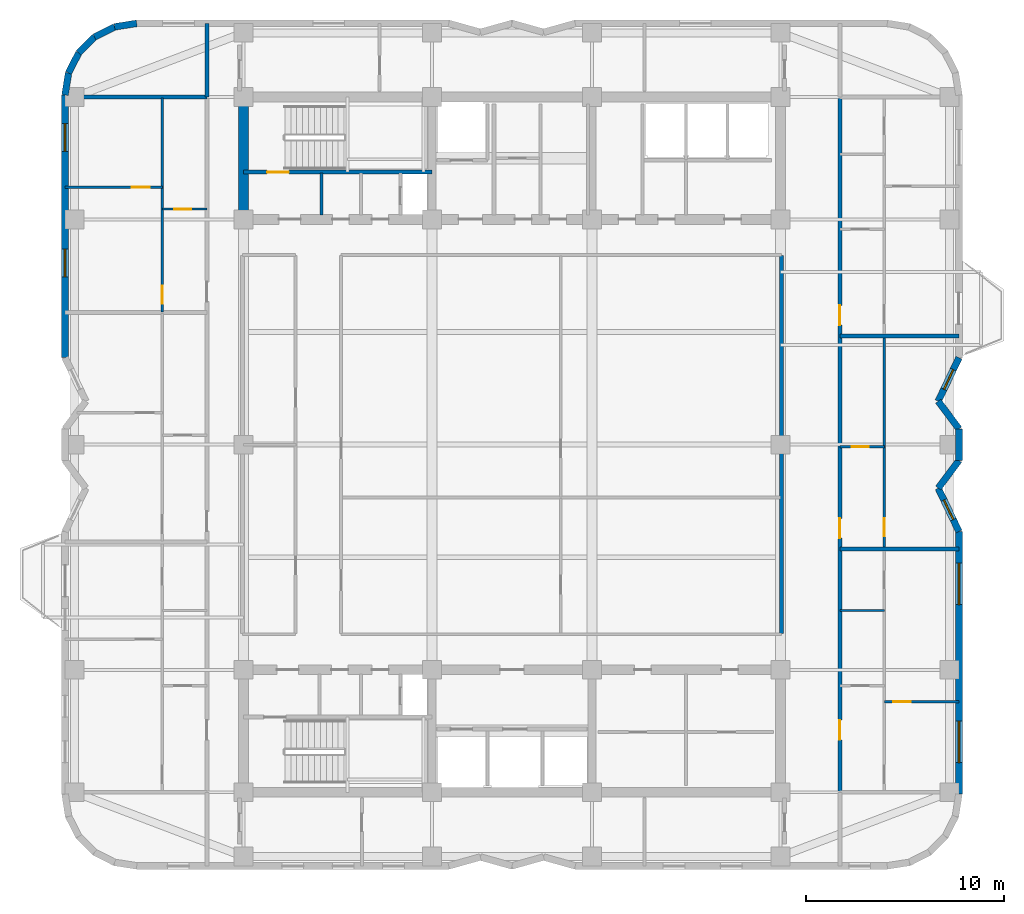
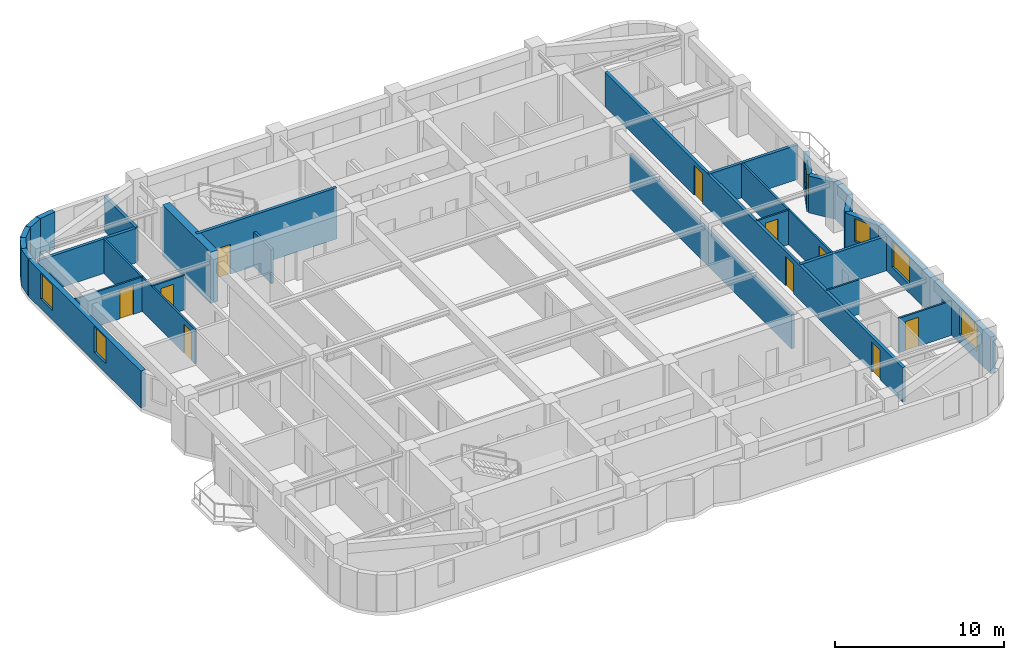
# One storey, part 5 of 9: 28 walls, 10 doors, 6 windows, 16 openings.
"""IFC4 building model written with IfcOpenShell, lengths in metres."""

from ifc_helpers import new_model, si_unit, direction, frame, frame_2d, origin, place, context, subcontext, project, spatial, rectangle, extrude, material, layer, layer_set, type_object, element, fill, save


model = new_model("IFC4")

# Units and contexts
model_context = context("Model", 3, precision=1e-05, world=origin(), true_north=direction((0.0, 1.0)))
body_context = subcontext(model_context, "Body", "Model", "MODEL_VIEW")
ifc_project = project(units=[si_unit("LENGTHUNIT", "METRE"), si_unit("AREAUNIT", "SQUARE_METRE"), si_unit("VOLUMEUNIT", "CUBIC_METRE"), si_unit("PLANEANGLEUNIT", "RADIAN"), si_unit("MASSUNIT", "GRAM", prefix="KILO")], contexts=[model_context])

# Site, building, storey
site_placement = place(None, origin())
site = spatial("IfcSite", under=ifc_project, at=site_placement, CompositionType="ELEMENT")
building_placement = place(site_placement, origin())
building = spatial("IfcBuilding", under=site, at=building_placement, Name="Svetorya Sky Lyceum", CompositionType="ELEMENT")
storey_placement = place(building_placement, frame((0.0, 0.0, 192.199951171875)))
storey = spatial("IfcBuildingStorey", under=building, at=storey_placement, Name="L48", CompositionType="ELEMENT", Elevation=192.199951171875)

# Wall
ifc_material_1 = material(Name="Concrete C50/60", Category="concrete")
ifc_layer_1 = layer(ifc_material_1, 0.5)
ifc_layer_set_1 = layer_set([ifc_layer_1], Name="Concrete C50/60")
wall_type_1 = type_object("IfcWallType", Name="WL-CORE-500", PredefinedType="SHEAR", material=ifc_layer_set_1)
wall_1_placement = place(storey_placement, frame((25.60009765625, 39.85009765625, 0.0), z_axis=(0.0, 0.0, 1.0), x_axis=(0.0, 1.0, 0.0)))
element("IfcWall", 1, at=wall_1_placement, inside=storey, type_object=wall_type_1, Name="L48 NC West Core Shear Wall", PredefinedType="SHEAR", context=body_context, shape_type="SweptSolid", body=[
    extrude(rectangle(XDim=5.699951171875, YDim=0.5, at=frame_2d((2.85009765625, 0.0))), origin(), (0.0, 0.0, 1.0), 3.699951171875),
])

# Wall, openings, windows
ifc_material_2 = material(Name="Putilovo limestone rainscreen on autoclaved cellular masonry", Category="masonry")
ifc_layer_2 = layer(ifc_material_2, 0.340087890625)
ifc_layer_set_2 = layer_set([ifc_layer_2], Name="Putilovo limestone rainscreen on autoclaved cellular masonry")
wall_type_2 = type_object("IfcWallType", Name="WL-EXT-340", PredefinedType="SOLIDWALL", material=ifc_layer_set_2)
wall_2_placement = place(storey_placement, frame((61.830078125, 10.5, 0.0), z_axis=(0.0, 0.0, 1.0), x_axis=(0.0, 1.0, 0.0)))
wall_2 = element("IfcWall", 2, at=wall_2_placement, inside=storey, type_object=wall_type_2, Name="L48 Limestone Exterior Wall 17M", PredefinedType="SOLIDWALL", context=body_context, shape_type="SweptSolid", body=[
    extrude(rectangle(XDim=13.300048828125, YDim=0.340087890625, at=frame_2d((6.64990234375, 0.0))), origin(), (0.0, 0.0, 1.0), 2.66015625),
])
opening_1_placement = place(wall_2_placement, frame((1.60009765625, 0.0, 0.639892578125)))
opening_1 = element("IfcOpeningElement", 3, at=opening_1_placement, cuts=wall_2, Name="Opening W-R0", PredefinedType="OPENING", context=body_context, shape_type="SweptSolid", body=[
    extrude(rectangle(XDim=2.10009765625, YDim=1.89990234375, at=frame_2d((1.050048828125, 0.949951171875))), frame((0.0, 0.179931640625, 0.0), z_axis=(0.0, -1.0, 0.0), x_axis=(1.0, 0.0, 0.0)), (0.0, 0.0, 1.0), 0.360107421875),
])
opening_2_placement = place(wall_2_placement, frame((9.60009765625, 0.0, 0.639892578125)))
opening_2 = element("IfcOpeningElement", 4, at=opening_2_placement, cuts=wall_2, Name="Opening W-R0", PredefinedType="OPENING", context=body_context, shape_type="SweptSolid", body=[
    extrude(rectangle(XDim=2.10009765625, YDim=1.89990234375, at=frame_2d((1.050048828125, 0.949951171875))), frame((0.0, 0.179931640625, 0.0), z_axis=(0.0, -1.0, 0.0), x_axis=(1.0, 0.0, 0.0)), (0.0, 0.0, 1.0), 0.360107421875),
])
ifc_material_3 = material(Name="Thermally broken aluminium frame with triple low-E glazing", Category="aluminium")
window_type_1 = type_object("IfcWindowType", Name="WN-RES-210", PartitioningType="TRIPLE_PANEL_VERTICAL", PredefinedType="WINDOW", material=ifc_material_3)
window_1_placement = place(opening_1_placement, origin())
window_1 = element("IfcWindow", 5, at=window_1_placement, inside=storey, type_object=window_type_1, Name="L48 Facade Window W-R0.17M.1", OverallHeight=1.89990234375, OverallWidth=2.10009765625, PartitioningType="SINGLE_PANEL", PredefinedType="WINDOW", context=body_context, shape_type="SweptSolid", body=[
    extrude(rectangle(XDim=2.10009765625, YDim=1.89990234375, at=frame_2d((1.050048828125, 0.949951171875))), frame((0.0, 0.030029296875, 0.0), z_axis=(0.0, -1.0, 0.0), x_axis=(1.0, 0.0, 0.0)), (0.0, 0.0, 1.0), 0.06005859375),
])
fill(opening_1, window_1)
window_2_placement = place(opening_2_placement, origin())
window_2 = element("IfcWindow", 6, at=window_2_placement, inside=storey, type_object=window_type_1, Name="L48 Facade Window W-R0.17M.2", OverallHeight=1.89990234375, OverallWidth=2.10009765625, PartitioningType="SINGLE_PANEL", PredefinedType="WINDOW", context=body_context, shape_type="SweptSolid", body=[
    extrude(rectangle(XDim=2.10009765625, YDim=1.89990234375, at=frame_2d((1.050048828125, 0.949951171875))), frame((0.0, 0.030029296875, 0.0), z_axis=(0.0, -1.0, 0.0), x_axis=(1.0, 0.0, 0.0)), (0.0, 0.0, 1.0), 0.06005859375),
])
fill(opening_2, window_2)

# Wall, opening, window
wall_3_placement = place(storey_placement, frame((61.830078125, 23.800048828125, 0.0), z_axis=(0.0, 0.0, 1.0), x_axis=(-0.430753686581, 0.902469534941, 0.0)))
wall_3 = element("IfcWall", 7, at=wall_3_placement, inside=storey, type_object=wall_type_2, Name="L48 Limestone Exterior Wall 18M", PredefinedType="SOLIDWALL", context=body_context, shape_type="SweptSolid", body=[
    extrude(rectangle(XDim=2.437744140625, YDim=0.340087890625, at=frame_2d((1.21875, 0.0))), origin(), (0.0, 0.0, 1.0), 2.66015625),
])
opening_3_placement = place(wall_3_placement, frame((0.6689453125, 0.0, 0.85009765625)))
opening_3 = element("IfcOpeningElement", 8, at=opening_3_placement, cuts=wall_3, Name="Opening W-R3", PredefinedType="OPENING", context=body_context, shape_type="SweptSolid", body=[
    extrude(rectangle(XDim=1.10009765625, YDim=1.64990234375, at=frame_2d((0.550048828125, 0.824951171875))), frame((0.0, 0.179931640625, 0.0), z_axis=(0.0, -1.0, 0.0), x_axis=(1.0, 0.0, 0.0)), (0.0, 0.0, 1.0), 0.360107421875),
])
window_type_2 = type_object("IfcWindowType", Name="WN-RES-110", PartitioningType="SINGLE_PANEL", PredefinedType="WINDOW", material=ifc_material_3)
window_3_placement = place(opening_3_placement, origin())
window_3 = element("IfcWindow", 9, at=window_3_placement, inside=storey, type_object=window_type_2, Name="L48 Facade Window W-R3.18M.1", OverallHeight=1.64990234375, OverallWidth=1.10009765625, PartitioningType="SINGLE_PANEL", PredefinedType="WINDOW", context=body_context, shape_type="SweptSolid", body=[
    extrude(rectangle(XDim=1.10009765625, YDim=1.64990234375, at=frame_2d((0.550048828125, 0.824951171875))), frame((0.0, 0.030029296875, 0.0), z_axis=(0.0, -1.0, 0.0), x_axis=(1.0, 0.0, 0.0)), (0.0, 0.0, 1.0), 0.06005859375),
])
fill(opening_3, window_3)

# Walls
wall_4_placement = place(storey_placement, frame((60.780029296875, 26.0, 0.0), z_axis=(0.0, 0.0, 1.0), x_axis=(0.600044643168, 0.799966515677, 0.0)))
element("IfcWall", 10, at=wall_4_placement, inside=storey, type_object=wall_type_2, Name="L48 Limestone Exterior Wall 19M", PredefinedType="SOLIDWALL", context=body_context, shape_type="SweptSolid", body=[
    extrude(rectangle(XDim=1.75, YDim=0.340087890625, at=frame_2d((0.875, 0.0))), origin(), (0.0, 0.0, 1.0), 2.66015625),
])
wall_5_placement = place(storey_placement, frame((61.830078125, 27.39990234375, 0.0), z_axis=(0.0, 0.0, 1.0), x_axis=(0.0, 1.0, 0.0)))
element("IfcWall", 11, at=wall_5_placement, inside=storey, type_object=wall_type_2, Name="L48 Limestone Exterior Wall 20M", PredefinedType="SOLIDWALL", context=body_context, shape_type="SweptSolid", body=[
    extrude(rectangle(XDim=1.60009765625, YDim=0.340087890625, at=frame_2d((0.800048828125, 0.0))), origin(), (0.0, 0.0, 1.0), 2.66015625),
])
wall_6_placement = place(storey_placement, frame((61.830078125, 29.0, 0.0), z_axis=(0.0, 0.0, 1.0), x_axis=(-0.600044643168, 0.799966515677, 0.0)))
element("IfcWall", 12, at=wall_6_placement, inside=storey, type_object=wall_type_2, Name="L48 Limestone Exterior Wall 21M", PredefinedType="SOLIDWALL", context=body_context, shape_type="SweptSolid", body=[
    extrude(rectangle(XDim=1.75, YDim=0.340087890625, at=frame_2d((0.875, 0.0))), origin(), (0.0, 0.0, 1.0), 2.66015625),
])

# Wall, opening, window
wall_7_placement = place(storey_placement, frame((60.780029296875, 30.39990234375, 0.0), z_axis=(0.0, 0.0, 1.0), x_axis=(0.430714756408, 0.902488115496, 0.0)))
wall_7 = element("IfcWall", 13, at=wall_7_placement, inside=storey, type_object=wall_type_2, Name="L48 Limestone Exterior Wall 22M", PredefinedType="SOLIDWALL", context=body_context, shape_type="SweptSolid", body=[
    extrude(rectangle(XDim=2.43798828125, YDim=0.340087890625, at=frame_2d((1.218994140625, 0.0))), origin(), (0.0, 0.0, 1.0), 2.66015625),
])
opening_4_placement = place(wall_7_placement, frame((0.6689453125, 0.0, 0.85009765625)))
opening_4 = element("IfcOpeningElement", 14, at=opening_4_placement, cuts=wall_7, Name="Opening W-R3", PredefinedType="OPENING", context=body_context, shape_type="SweptSolid", body=[
    extrude(rectangle(XDim=1.10009765625, YDim=1.64990234375, at=frame_2d((0.550048828125, 0.824951171875))), frame((0.0, 0.179931640625, 0.0), z_axis=(0.0, -1.0, 0.0), x_axis=(1.0, 0.0, 0.0)), (0.0, 0.0, 1.0), 0.360107421875),
])
window_4_placement = place(opening_4_placement, origin())
window_4 = element("IfcWindow", 15, at=window_4_placement, inside=storey, type_object=window_type_2, Name="L48 Facade Window W-R3.22M.1", OverallHeight=1.64990234375, OverallWidth=1.10009765625, PartitioningType="SINGLE_PANEL", PredefinedType="WINDOW", context=body_context, shape_type="SweptSolid", body=[
    extrude(rectangle(XDim=1.10009765625, YDim=1.64990234375, at=frame_2d((0.550048828125, 0.824951171875))), frame((0.0, 0.030029296875, 0.0), z_axis=(0.0, -1.0, 0.0), x_axis=(1.0, 0.0, 0.0)), (0.0, 0.0, 1.0), 0.06005859375),
])
fill(opening_4, window_4)

# Walls
wall_8_placement = place(storey_placement, frame((20.199951171875, 49.530029296875, 0.0), z_axis=(0.0, 0.0, 1.0), x_axis=(-0.987675651954, -0.156514556949, 0.0)))
element("IfcWall", 16, at=wall_8_placement, inside=storey, type_object=wall_type_2, Name="L48 Limestone Exterior Wall 35M", PredefinedType="SOLIDWALL", context=body_context, shape_type="SweptSolid", body=[
    extrude(rectangle(XDim=1.135498046875, YDim=0.340087890625, at=frame_2d((0.56787109375, 0.0))), origin(), (0.0, 0.0, 1.0), 2.66015625),
])
for number, where, z_axis, x_axis, name in (
    (17, (19.078369140625, 49.352294921875, 0.0), (0.0, 0.0, 1.0), (-0.891005044957, -0.453993402883, 0.0), "L48 Limestone Exterior Wall 36M"),
    (18, (18.06640625, 48.836669921875, 0.0), (0.0, 0.0, 1.0), (-0.707214252388, -0.706999293649, 0.0), "L48 Limestone Exterior Wall 37M"),
    (19, (17.26318359375, 48.03369140625, 0.0), (0.0, 0.0, 1.0), (-0.453822724105, -0.891091990249, 0.0), "L48 Limestone Exterior Wall 38M"),
    (20, (16.747802734375, 47.021728515625, 0.0), (0.0, 0.0, 1.0), (-0.156481329164, -0.987680916907, 0.0), "L48 Limestone Exterior Wall 39M"),
):
    element("IfcWall", number, at=place(storey_placement, frame(where, z_axis=z_axis, x_axis=x_axis)), inside=storey, type_object=wall_type_2, Name=name, PredefinedType="SOLIDWALL", context=body_context, shape_type="SweptSolid", body=[
        extrude(rectangle(XDim=1.1357421875, YDim=0.340087890625, at=frame_2d((0.56787109375, 0.0))), origin(), (0.0, 0.0, 1.0), 2.66015625),
    ])

# Wall, openings, windows
wall_9_placement = place(storey_placement, frame((16.570068359375, 45.89990234375, 0.0), z_axis=(0.0, 0.0, 1.0), x_axis=(0.0, -1.0, 0.0)))
wall_9 = element("IfcWall", 21, at=wall_9_placement, inside=storey, type_object=wall_type_2, Name="L48 Limestone Exterior Wall 40M", PredefinedType="SOLIDWALL", context=body_context, shape_type="SweptSolid", body=[
    extrude(rectangle(XDim=13.2998046875, YDim=0.340087890625, at=frame_2d((6.64990234375, 0.0))), origin(), (0.0, 0.0, 1.0), 2.66015625),
])
opening_5_placement = place(wall_9_placement, frame((1.449951171875, 0.0, 0.68994140625)))
opening_5 = element("IfcOpeningElement", 22, at=opening_5_placement, cuts=wall_9, Name="Opening W-R2", PredefinedType="OPENING", context=body_context, shape_type="SweptSolid", body=[
    extrude(rectangle(XDim=1.39990234375, YDim=1.85009765625, at=frame_2d((0.699951171875, 0.925048828125))), frame((0.0, 0.179931640625, 0.0), z_axis=(0.0, -1.0, 0.0), x_axis=(1.0, 0.0, 0.0)), (0.0, 0.0, 1.0), 0.360107421875),
])
opening_6_placement = place(wall_9_placement, frame((7.800048828125, 0.0, 0.68994140625)))
opening_6 = element("IfcOpeningElement", 23, at=opening_6_placement, cuts=wall_9, Name="Opening W-R2", PredefinedType="OPENING", context=body_context, shape_type="SweptSolid", body=[
    extrude(rectangle(XDim=1.39990234375, YDim=1.85009765625, at=frame_2d((0.699951171875, 0.925048828125))), frame((0.0, 0.179931640625, 0.0), z_axis=(0.0, -1.0, 0.0), x_axis=(1.0, 0.0, 0.0)), (0.0, 0.0, 1.0), 0.360107421875),
])
window_type_3 = type_object("IfcWindowType", Name="WN-RES-140", PartitioningType="SINGLE_PANEL", PredefinedType="WINDOW", material=ifc_material_3)
window_5_placement = place(opening_5_placement, origin())
window_5 = element("IfcWindow", 24, at=window_5_placement, inside=storey, type_object=window_type_3, Name="L48 Facade Window W-R2.40M.1", OverallHeight=1.85009765625, OverallWidth=1.39990234375, PartitioningType="SINGLE_PANEL", PredefinedType="WINDOW", context=body_context, shape_type="SweptSolid", body=[
    extrude(rectangle(XDim=1.39990234375, YDim=1.85009765625, at=frame_2d((0.699951171875, 0.925048828125))), frame((0.0, 0.030029296875, 0.0), z_axis=(0.0, -1.0, 0.0), x_axis=(1.0, 0.0, 0.0)), (0.0, 0.0, 1.0), 0.06005859375),
])
fill(opening_5, window_5)
window_6_placement = place(opening_6_placement, origin())
window_6 = element("IfcWindow", 25, at=window_6_placement, inside=storey, type_object=window_type_3, Name="L48 Facade Window W-R2.40M.2", OverallHeight=1.85009765625, OverallWidth=1.39990234375, PartitioningType="SINGLE_PANEL", PredefinedType="WINDOW", context=body_context, shape_type="SweptSolid", body=[
    extrude(rectangle(XDim=1.39990234375, YDim=1.85009765625, at=frame_2d((0.699951171875, 0.925048828125))), frame((0.0, 0.030029296875, 0.0), z_axis=(0.0, -1.0, 0.0), x_axis=(1.0, 0.0, 0.0)), (0.0, 0.0, 1.0), 0.06005859375),
])
fill(opening_6, window_6)

# Wall, opening, door
ifc_material_4 = material(Name="Twin-stud galvanized framing with double fireboard", Category="gypsum")
ifc_layer_3 = layer(ifc_material_4, 0.1201171875)
ifc_layer_set_3 = layer_set([ifc_layer_3], Name="Twin-stud galvanized framing with double fireboard")
wall_type_3 = type_object("IfcWallType", Name="WL-PART-120", PredefinedType="PARTITIONING", material=ifc_layer_set_3)
wall_10_placement = place(storey_placement, frame((21.5, 40.1279296875, 0.0), z_axis=(0.0, 0.0, 1.0), x_axis=(1.0, 0.0, 0.0)))
wall_10 = element("IfcWall", 26, at=wall_10_placement, inside=storey, type_object=wall_type_3, Name="L48 Interior Partition W3-WH1", PredefinedType="PARTITIONING", context=body_context, shape_type="SweptSolid", body=[
    extrude(rectangle(XDim=2.25, YDim=0.1201171875, at=frame_2d((1.125, 0.0))), origin(), (0.0, 0.0, 1.0), 2.489990234375),
])
opening_7_placement = place(wall_10_placement, frame((0.60009765625, 0.0, 0.0)))
opening_7 = element("IfcOpeningElement", 27, at=opening_7_placement, cuts=wall_10, Name="Opening D-BT1", PredefinedType="OPENING", context=body_context, shape_type="SweptSolid", body=[
    extrude(rectangle(XDim=0.85009765625, YDim=2.10009765625, at=frame_2d((0.425048828125, 1.050048828125))), frame((0.0, 0.070068359375, 0.0), z_axis=(0.0, -1.0, 0.0), x_axis=(1.0, 0.0, 0.0)), (0.0, 0.0, 1.0), 0.14013671875),
])
ifc_material_5 = material(Name="Moisture-resistant laminate bathroom door")
door_type_1 = type_object("IfcDoorType", Name="DR-WET-850", OperationType="SINGLE_SWING_LEFT", PredefinedType="DOOR", material=ifc_material_5)
door_1_placement = place(opening_7_placement, origin())
door_1 = element("IfcDoor", 28, at=door_1_placement, inside=storey, type_object=door_type_1, Name="Apartment W3 Bathroom Door", OperationType="SINGLE_SWING_LEFT", OverallHeight=2.10009765625, OverallWidth=0.85009765625, PredefinedType="DOOR", context=body_context, shape_type="SweptSolid", body=[
    extrude(rectangle(XDim=0.85009765625, YDim=2.10009765625, at=frame_2d((0.425048828125, 1.050048828125))), frame((0.0, 0.02490234375, 0.0), z_axis=(0.0, -1.0, 0.0), x_axis=(1.0, 0.0, 0.0)), (0.0, 0.0, 1.0), 0.050048828125),
])
fill(opening_7, door_1)

wall_11_placement = place(storey_placement, frame((16.570068359375, 41.238037109375, 0.0), z_axis=(0.0, 0.0, 1.0), x_axis=(1.0, 0.0, 0.0)))
wall_11 = element("IfcWall", 29, at=wall_11_placement, inside=storey, type_object=wall_type_3, Name="L48 Interior Partition W3-WL1", PredefinedType="PARTITIONING", context=body_context, shape_type="SweptSolid", body=[
    extrude(rectangle(XDim=4.929931640625, YDim=0.1201171875, at=frame_2d((2.46484375, 0.0))), origin(), (0.0, 0.0, 1.0), 2.489990234375),
])
opening_8_placement = place(wall_11_placement, frame((3.3798828125, 0.0, 0.0)))
opening_8 = element("IfcOpeningElement", 30, at=opening_8_placement, cuts=wall_11, Name="Opening D-RM1", PredefinedType="OPENING", context=body_context, shape_type="SweptSolid", body=[
    extrude(rectangle(XDim=0.89990234375, YDim=2.10009765625, at=frame_2d((0.449951171875, 1.050048828125))), frame((0.0, 0.070068359375, 0.0), z_axis=(0.0, -1.0, 0.0), x_axis=(1.0, 0.0, 0.0)), (0.0, 0.0, 1.0), 0.14013671875),
])
ifc_material_6 = material(Name="Lacquered birch veneer internal door")
door_type_2 = type_object("IfcDoorType", Name="DR-INT-900", OperationType="SINGLE_SWING_LEFT", PredefinedType="DOOR", material=ifc_material_6)
door_2_placement = place(opening_8_placement, origin())
door_2 = element("IfcDoor", 31, at=door_2_placement, inside=storey, type_object=door_type_2, Name="Apartment W3 Bedroom 1 Door", OperationType="SINGLE_SWING_LEFT", OverallHeight=2.10009765625, OverallWidth=0.89990234375, PredefinedType="DOOR", context=body_context, shape_type="SweptSolid", body=[
    extrude(rectangle(XDim=0.89990234375, YDim=2.10009765625, at=frame_2d((0.449951171875, 1.050048828125))), frame((0.0, 0.02490234375, 0.0), z_axis=(0.0, -1.0, 0.0), x_axis=(1.0, 0.0, 0.0)), (0.0, 0.0, 1.0), 0.050048828125),
])
fill(opening_8, door_2)

wall_12_placement = place(storey_placement, frame((21.5, 34.927978515625, 0.0), z_axis=(0.0, 0.0, 1.0), x_axis=(0.0, 1.0, 0.0)))
wall_12 = element("IfcWall", 32, at=wall_12_placement, inside=storey, type_object=wall_type_3, Name="L48 Interior Partition W3-WV", PredefinedType="PARTITIONING", context=body_context, shape_type="SweptSolid", body=[
    extrude(rectangle(XDim=10.83203125, YDim=0.1201171875, at=frame_2d((5.416015625, 0.0))), origin(), (0.0, 0.0, 1.0), 2.489990234375),
])
opening_9_placement = place(wall_12_placement, frame((0.409912109375, 0.0, 0.0)))
opening_9 = element("IfcOpeningElement", 33, at=opening_9_placement, cuts=wall_12, Name="Opening D-RM1", PredefinedType="OPENING", context=body_context, shape_type="SweptSolid", body=[
    extrude(rectangle(XDim=0.89990234375, YDim=2.10009765625, at=frame_2d((0.449951171875, 1.050048828125))), frame((0.0, 0.070068359375, 0.0), z_axis=(0.0, -1.0, 0.0), x_axis=(1.0, 0.0, 0.0)), (0.0, 0.0, 1.0), 0.14013671875),
])
door_3_placement = place(opening_9_placement, origin())
door_3 = element("IfcDoor", 34, at=door_3_placement, inside=storey, type_object=door_type_2, Name="Apartment W3 Living Door", OperationType="SINGLE_SWING_RIGHT", OverallHeight=2.10009765625, OverallWidth=0.89990234375, PredefinedType="DOOR", context=body_context, shape_type="SweptSolid", body=[
    extrude(rectangle(XDim=0.89990234375, YDim=2.10009765625, at=frame_2d((0.449951171875, 1.050048828125))), frame((0.0, 0.02490234375, 0.0), z_axis=(0.0, -1.0, 0.0), x_axis=(1.0, 0.0, 0.0)), (0.0, 0.0, 1.0), 0.050048828125),
])
fill(opening_9, door_3)

# Wall
wall_13_placement = place(storey_placement, frame((55.800048828125, 19.800048828125, 0.0), z_axis=(0.0, 0.0, 1.0), x_axis=(1.0, 0.0, 0.0)))
element("IfcWall", 35, at=wall_13_placement, inside=storey, type_object=wall_type_3, Name="L48 Interior Partition E1-WH2", PredefinedType="PARTITIONING", context=body_context, shape_type="SweptSolid", body=[
    extrude(rectangle(XDim=2.25, YDim=0.1201171875, at=frame_2d((1.125, 0.0))), origin(), (0.0, 0.0, 1.0), 2.489990234375),
])

# Wall, opening, door
wall_14_placement = place(storey_placement, frame((58.050048828125, 15.179931640625, 0.0), z_axis=(0.0, 0.0, 1.0), x_axis=(1.0, 0.0, 0.0)))
wall_14 = element("IfcWall", 36, at=wall_14_placement, inside=storey, type_object=wall_type_3, Name="L48 Interior Partition E1-WL1", PredefinedType="PARTITIONING", context=body_context, shape_type="SweptSolid", body=[
    extrude(rectangle(XDim=3.780029296875, YDim=0.1201171875, at=frame_2d((1.89013671875, 0.0))), origin(), (0.0, 0.0, 1.0), 2.489990234375),
])
opening_10_placement = place(wall_14_placement, frame((0.449951171875, 0.0, 0.0)))
opening_10 = element("IfcOpeningElement", 37, at=opening_10_placement, cuts=wall_14, Name="Opening D-RM1", PredefinedType="OPENING", context=body_context, shape_type="SweptSolid", body=[
    extrude(rectangle(XDim=0.89990234375, YDim=2.10009765625, at=frame_2d((0.449951171875, 1.050048828125))), frame((0.0, 0.070068359375, 0.0), z_axis=(0.0, -1.0, 0.0), x_axis=(1.0, 0.0, 0.0)), (0.0, 0.0, 1.0), 0.14013671875),
])
door_4_placement = place(opening_10_placement, origin())
door_4 = element("IfcDoor", 38, at=door_4_placement, inside=storey, type_object=door_type_2, Name="Apartment E1 Bedroom 1 Door", OperationType="SINGLE_SWING_RIGHT", OverallHeight=2.10009765625, OverallWidth=0.89990234375, PredefinedType="DOOR", context=body_context, shape_type="SweptSolid", body=[
    extrude(rectangle(XDim=0.89990234375, YDim=2.10009765625, at=frame_2d((0.449951171875, 1.050048828125))), frame((0.0, 0.02490234375, 0.0), z_axis=(0.0, -1.0, 0.0), x_axis=(1.0, 0.0, 0.0)), (0.0, 0.0, 1.0), 0.050048828125),
])
fill(opening_10, door_4)

wall_15_placement = place(storey_placement, frame((55.800048828125, 28.090087890625, 0.0), z_axis=(0.0, 0.0, 1.0), x_axis=(1.0, 0.0, 0.0)))
wall_15 = element("IfcWall", 39, at=wall_15_placement, inside=storey, type_object=wall_type_3, Name="L48 Interior Partition E2-WH1", PredefinedType="PARTITIONING", context=body_context, shape_type="SweptSolid", body=[
    extrude(rectangle(XDim=2.25, YDim=0.1201171875, at=frame_2d((1.125, 0.0))), origin(), (0.0, 0.0, 1.0), 2.489990234375),
])
opening_11_placement = place(wall_15_placement, frame((0.60009765625, 0.0, 0.0)))
opening_11 = element("IfcOpeningElement", 40, at=opening_11_placement, cuts=wall_15, Name="Opening D-BT1", PredefinedType="OPENING", context=body_context, shape_type="SweptSolid", body=[
    extrude(rectangle(XDim=0.85009765625, YDim=2.10009765625, at=frame_2d((0.425048828125, 1.050048828125))), frame((0.0, 0.070068359375, 0.0), z_axis=(0.0, -1.0, 0.0), x_axis=(1.0, 0.0, 0.0)), (0.0, 0.0, 1.0), 0.14013671875),
])
door_5_placement = place(opening_11_placement, origin())
door_5 = element("IfcDoor", 41, at=door_5_placement, inside=storey, type_object=door_type_1, Name="Apartment E2 Bathroom Door", OperationType="SINGLE_SWING_LEFT", OverallHeight=2.10009765625, OverallWidth=0.85009765625, PredefinedType="DOOR", context=body_context, shape_type="SweptSolid", body=[
    extrude(rectangle(XDim=0.85009765625, YDim=2.10009765625, at=frame_2d((0.425048828125, 1.050048828125))), frame((0.0, 0.02490234375, 0.0), z_axis=(0.0, -1.0, 0.0), x_axis=(1.0, 0.0, 0.0)), (0.0, 0.0, 1.0), 0.050048828125),
])
fill(opening_11, door_5)

wall_16_placement = place(storey_placement, frame((58.050048828125, 22.9599609375, 0.0), z_axis=(0.0, 0.0, 1.0), x_axis=(0.0, 1.0, 0.0)))
wall_16 = element("IfcWall", 42, at=wall_16_placement, inside=storey, type_object=wall_type_3, Name="L48 Interior Partition E2-WV", PredefinedType="PARTITIONING", context=body_context, shape_type="SweptSolid", body=[
    extrude(rectangle(XDim=10.699951171875, YDim=0.1201171875, at=frame_2d((5.35009765625, 0.0))), origin(), (0.0, 0.0, 1.0), 2.489990234375),
])
opening_12_placement = place(wall_16_placement, frame((0.610107421875, 0.0, 0.0)))
opening_12 = element("IfcOpeningElement", 43, at=opening_12_placement, cuts=wall_16, Name="Opening D-RM1", PredefinedType="OPENING", context=body_context, shape_type="SweptSolid", body=[
    extrude(rectangle(XDim=0.89990234375, YDim=2.10009765625, at=frame_2d((0.449951171875, 1.050048828125))), frame((0.0, 0.070068359375, 0.0), z_axis=(0.0, -1.0, 0.0), x_axis=(1.0, 0.0, 0.0)), (0.0, 0.0, 1.0), 0.14013671875),
])
door_6_placement = place(opening_12_placement, origin())
door_6 = element("IfcDoor", 44, at=door_6_placement, inside=storey, type_object=door_type_2, Name="Apartment E2 Living Door", OperationType="SINGLE_SWING_RIGHT", OverallHeight=2.10009765625, OverallWidth=0.89990234375, PredefinedType="DOOR", context=body_context, shape_type="SweptSolid", body=[
    extrude(rectangle(XDim=0.89990234375, YDim=2.10009765625, at=frame_2d((0.449951171875, 1.050048828125))), frame((0.0, 0.02490234375, 0.0), z_axis=(0.0, -1.0, 0.0), x_axis=(1.0, 0.0, 0.0)), (0.0, 0.0, 1.0), 0.050048828125),
])
fill(opening_12, door_6)

# Walls
ifc_material_7 = material(Name="Autoclaved cellular masonry blockwork with acoustic render", Category="masonry")
ifc_layer_4 = layer(ifc_material_7, 0.14990234375)
ifc_layer_set_4 = layer_set([ifc_layer_4], Name="Autoclaved cellular masonry blockwork with acoustic render")
wall_type_4 = type_object("IfcWallType", Name="WL-PART-150", PredefinedType="PARTITIONING", material=ifc_layer_set_4)
wall_17_placement = place(storey_placement, frame((29.550048828125, 39.820068359375, 0.0), z_axis=(0.0, 0.0, 1.0), x_axis=(0.0, 1.0, 0.0)))
element("IfcWall", 45, at=wall_17_placement, inside=storey, type_object=wall_type_4, Name="L48 Interior Partition NC-NWD1", PredefinedType="PARTITIONING", context=body_context, shape_type="SweptSolid", body=[
    extrude(rectangle(XDim=2.1298828125, YDim=0.14990234375, at=frame_2d((1.06494140625, 0.0))), origin(), (0.0, 0.0, 1.0), 2.489990234375),
])
ifc_material_8 = material(Name="Autoclaved cellular masonry blockwork with gypsum plaster", Category="masonry")
ifc_layer_5 = layer(ifc_material_8, 0.199951171875)
ifc_layer_set_5 = layer_set([ifc_layer_5], Name="Autoclaved cellular masonry blockwork with gypsum plaster")
wall_type_5 = type_object("IfcWallType", Name="WL-PART-200", PredefinedType="PARTITIONING", material=ifc_layer_set_5)
wall_18_placement = place(storey_placement, frame((52.85009765625, 18.6298828125, 0.0), z_axis=(0.0, 0.0, 1.0), x_axis=(0.0, 1.0, 0.0)))
element("IfcWall", 46, at=wall_18_placement, inside=storey, type_object=wall_type_5, Name="L48 Interior Partition E-CEN-SEP", PredefinedType="PARTITIONING", context=body_context, shape_type="SweptSolid", body=[
    extrude(rectangle(XDim=19.14013671875, YDim=0.199951171875, at=frame_2d((9.570068359375, 0.0))), origin(), (0.0, 0.0, 1.0), 2.489990234375),
])
wall_19_placement = place(storey_placement, frame((16.989990234375, 45.800048828125, 0.0), z_axis=(0.0, 0.0, 1.0), x_axis=(1.0, 0.0, 0.0)))
element("IfcWall", 47, at=wall_19_placement, inside=storey, type_object=wall_type_5, Name="L48 Interior Partition W-CAP-N", PredefinedType="PARTITIONING", context=body_context, shape_type="SweptSolid", body=[
    extrude(rectangle(XDim=6.760009765625, YDim=0.199951171875, at=frame_2d((3.3798828125, 0.0))), origin(), (0.0, 0.0, 1.0), 2.489990234375),
])
for number, where, z_axis, x_axis, name in (
    (48, (55.800048828125, 22.919921875, 0.0), (0.0, 0.0, 1.0), (1.0, 0.0, 0.0), "L48 Interior Partition E-PARTY-1"),
    (49, (55.800048828125, 33.699951171875, 0.0), (0.0, 0.0, 1.0), (1.0, 0.0, 0.0), "L48 Interior Partition E-PARTY-2"),
):
    element("IfcWall", number, at=place(storey_placement, frame(where, z_axis=z_axis, x_axis=x_axis)), inside=storey, type_object=wall_type_5, Name=name, PredefinedType="PARTITIONING", context=body_context, shape_type="SweptSolid", body=[
        extrude(rectangle(XDim=6.030029296875, YDim=0.199951171875, at=frame_2d((3.01513671875, 0.0))), origin(), (0.0, 0.0, 1.0), 2.489990234375),
    ])

# Wall, openings, doors
wall_20_placement = place(storey_placement, frame((55.800048828125, 10.60009765625, 0.0), z_axis=(0.0, 0.0, 1.0), x_axis=(0.0, 1.0, 0.0)))
wall_20 = element("IfcWall", 50, at=wall_20_placement, inside=storey, type_object=wall_type_5, Name="L48 Interior Partition E-CORRW", PredefinedType="PARTITIONING", context=body_context, shape_type="SweptSolid", body=[
    extrude(rectangle(XDim=35.199951171875, YDim=0.199951171875, at=frame_2d((17.60009765625, 0.0))), origin(), (0.0, 0.0, 1.0), 2.489990234375),
])
opening_13_placement = place(wall_20_placement, frame((2.64990234375, 0.0, 0.0)))
opening_13 = element("IfcOpeningElement", 51, at=opening_13_placement, cuts=wall_20, Name="Opening D-APT1", PredefinedType="OPENING", context=body_context, shape_type="SweptSolid", body=[
    extrude(rectangle(XDim=1.0, YDim=2.14990234375, at=frame_2d((0.5, 1.074951171875))), frame((0.0, 0.10986328125, 0.0), z_axis=(0.0, -1.0, 0.0), x_axis=(1.0, 0.0, 0.0)), (0.0, 0.0, 1.0), 0.219970703125),
])
opening_14_placement = place(wall_20_placement, frame((12.8701171875, 0.0, 0.0)))
opening_14 = element("IfcOpeningElement", 52, at=opening_14_placement, cuts=wall_20, Name="Opening D-APT1", PredefinedType="OPENING", context=body_context, shape_type="SweptSolid", body=[
    extrude(rectangle(XDim=1.0, YDim=2.14990234375, at=frame_2d((0.5, 1.074951171875))), frame((0.0, 0.10986328125, 0.0), z_axis=(0.0, -1.0, 0.0), x_axis=(1.0, 0.0, 0.0)), (0.0, 0.0, 1.0), 0.219970703125),
])
opening_15_placement = place(wall_20_placement, frame((23.64990234375, 0.0, 0.0)))
opening_15 = element("IfcOpeningElement", 53, at=opening_15_placement, cuts=wall_20, Name="Opening D-APT1", PredefinedType="OPENING", context=body_context, shape_type="SweptSolid", body=[
    extrude(rectangle(XDim=1.0, YDim=2.14990234375, at=frame_2d((0.5, 1.074951171875))), frame((0.0, 0.10986328125, 0.0), z_axis=(0.0, -1.0, 0.0), x_axis=(1.0, 0.0, 0.0)), (0.0, 0.0, 1.0), 0.219970703125),
])
ifc_material_9 = material(Name="Insulated oak-veneered apartment entrance door")
door_type_3 = type_object("IfcDoorType", Name="DR-APT-1000", OperationType="SINGLE_SWING_LEFT", PredefinedType="DOOR", material=ifc_material_9)
door_7_placement = place(opening_13_placement, origin())
door_7 = element("IfcDoor", 54, at=door_7_placement, inside=storey, type_object=door_type_3, Name="L48 Apartment E1 Entrance Door", OperationType="SINGLE_SWING_RIGHT", OverallHeight=2.14990234375, OverallWidth=1.0, PredefinedType="DOOR", context=body_context, shape_type="SweptSolid", body=[
    extrude(rectangle(XDim=1.0, YDim=2.14990234375, at=frame_2d((0.5, 1.074951171875))), frame((0.0, 0.02490234375, 0.0), z_axis=(0.0, -1.0, 0.0), x_axis=(1.0, 0.0, 0.0)), (0.0, 0.0, 1.0), 0.050048828125),
])
fill(opening_13, door_7)
door_8_placement = place(opening_14_placement, origin())
door_8 = element("IfcDoor", 55, at=door_8_placement, inside=storey, type_object=door_type_3, Name="L48 Apartment E2 Entrance Door", OperationType="SINGLE_SWING_LEFT", OverallHeight=2.14990234375, OverallWidth=1.0, PredefinedType="DOOR", context=body_context, shape_type="SweptSolid", body=[
    extrude(rectangle(XDim=1.0, YDim=2.14990234375, at=frame_2d((0.5, 1.074951171875))), frame((0.0, 0.02490234375, 0.0), z_axis=(0.0, -1.0, 0.0), x_axis=(1.0, 0.0, 0.0)), (0.0, 0.0, 1.0), 0.050048828125),
])
fill(opening_14, door_8)
door_9_placement = place(opening_15_placement, origin())
door_9 = element("IfcDoor", 56, at=door_9_placement, inside=storey, type_object=door_type_3, Name="L48 Apartment E3 Entrance Door", OperationType="SINGLE_SWING_RIGHT", OverallHeight=2.14990234375, OverallWidth=1.0, PredefinedType="DOOR", context=body_context, shape_type="SweptSolid", body=[
    extrude(rectangle(XDim=1.0, YDim=2.14990234375, at=frame_2d((0.5, 1.074951171875))), frame((0.0, 0.02490234375, 0.0), z_axis=(0.0, -1.0, 0.0), x_axis=(1.0, 0.0, 0.0)), (0.0, 0.0, 1.0), 0.050048828125),
])
fill(opening_15, door_9)

# Wall
wall_21_placement = place(storey_placement, frame((23.75, 45.800048828125, 0.0), z_axis=(0.0, 0.0, 1.0), x_axis=(0.0, 1.0, 0.0)))
element("IfcWall", 57, at=wall_21_placement, inside=storey, type_object=wall_type_5, Name="L48 Interior Partition WC-NW-END", PredefinedType="PARTITIONING", context=body_context, shape_type="SweptSolid", body=[
    extrude(rectangle(XDim=3.72998046875, YDim=0.199951171875, at=frame_2d((1.864990234375, 0.0))), origin(), (0.0, 0.0, 1.0), 2.489990234375),
])

# Wall, opening, door
ifc_layer_6 = layer(ifc_material_1, 0.199951171875)
ifc_layer_set_6 = layer_set([ifc_layer_6], Name="Concrete C50/60")
wall_type_6 = type_object("IfcWallType", Name="WL-SHW-200", PredefinedType="SHEAR", material=ifc_layer_set_6)
wall_22_placement = place(storey_placement, frame((35.14990234375, 42.0, 0.0), z_axis=(0.0, 0.0, 1.0), x_axis=(-1.0, 0.0, 0.0)))
wall_22 = element("IfcWall", 58, at=wall_22_placement, inside=storey, type_object=wall_type_6, Name="L48 Structural Stair Shaft Wall NC-STW", PredefinedType="SHEAR", context=body_context, shape_type="SweptSolid", body=[
    extrude(rectangle(XDim=9.5498046875, YDim=0.199951171875, at=frame_2d((4.77490234375, 0.0))), origin(), (0.0, 0.0, 1.0), 3.699951171875),
])
opening_16_placement = place(wall_22_placement, frame((7.25, 0.0, 0.0)))
opening_16 = element("IfcOpeningElement", 59, at=opening_16_placement, cuts=wall_22, Name="Opening D-ST1", PredefinedType="OPENING", context=body_context, shape_type="SweptSolid", body=[
    extrude(rectangle(XDim=1.10009765625, YDim=2.14990234375, at=frame_2d((0.550048828125, 1.074951171875))), frame((0.0, 0.10986328125, 0.0), z_axis=(0.0, -1.0, 0.0), x_axis=(1.0, 0.0, 0.0)), (0.0, 0.0, 1.0), 0.219970703125),
])
ifc_material_10 = material(Name="Powder-coated insulated galvanized stair fire door")
door_type_4 = type_object("IfcDoorType", Name="DR-FIRE-1100", OperationType="SINGLE_SWING_LEFT", PredefinedType="DOOR", material=ifc_material_10)
door_10_placement = place(opening_16_placement, origin())
door_10 = element("IfcDoor", 60, at=door_10_placement, inside=storey, type_object=door_type_4, Name="L48 Stair ST-N Vestibule Fire Door", OperationType="SINGLE_SWING_RIGHT", OverallHeight=2.14990234375, OverallWidth=1.10009765625, PredefinedType="DOOR", context=body_context, shape_type="SweptSolid", body=[
    extrude(rectangle(XDim=1.10009765625, YDim=2.14990234375, at=frame_2d((0.550048828125, 1.074951171875))), frame((0.0, 0.02490234375, 0.0), z_axis=(0.0, -1.0, 0.0), x_axis=(1.0, 0.0, 0.0)), (0.0, 0.0, 1.0), 0.050048828125),
])
fill(opening_16, door_10)

save(model, "model.ifc")
